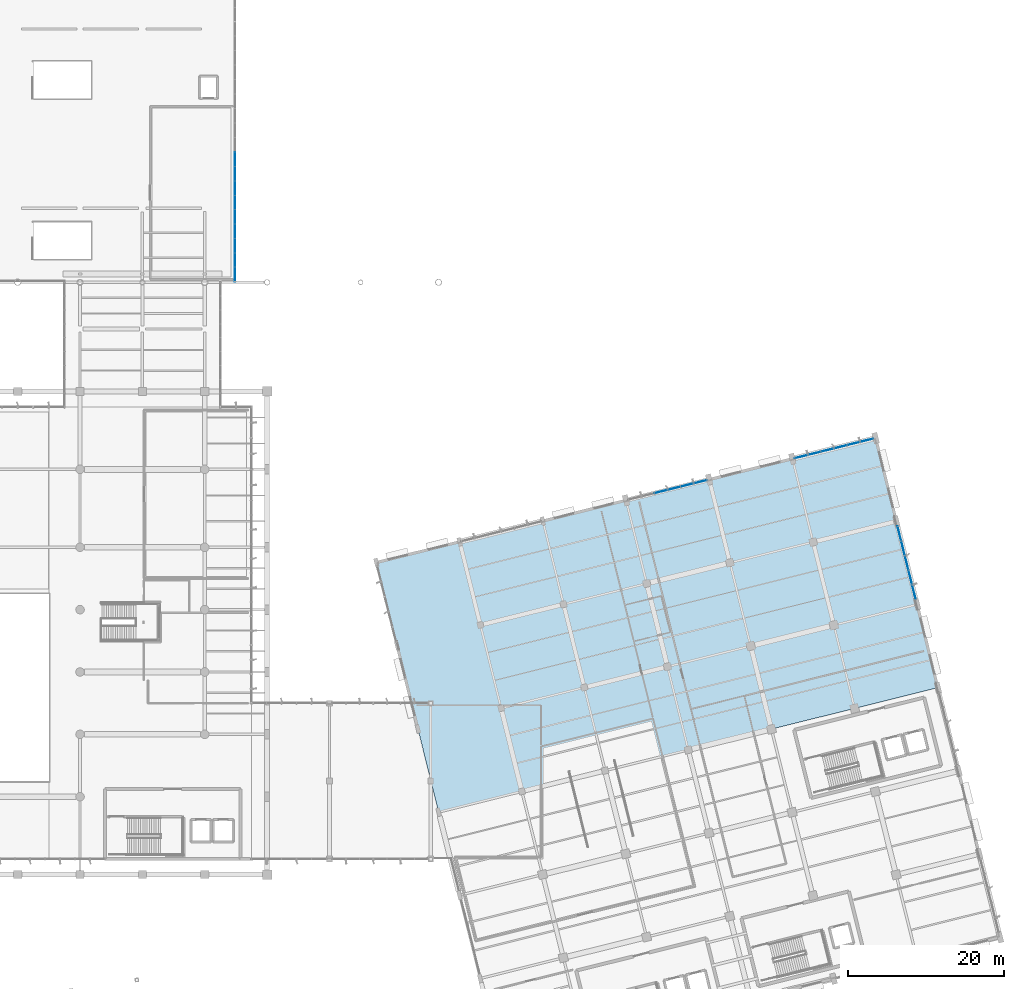
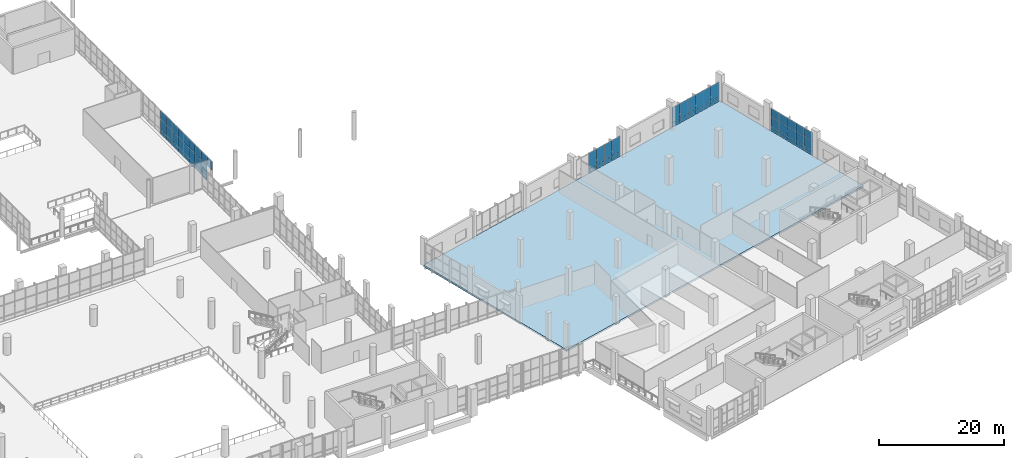
# One storey, part 131 of 176: 60 plates, 1 slab, 5 elements without a shape of their own.
"""IFC4 building model written with IfcOpenShell, lengths in metres."""

from ifc_helpers import new_model, si_unit, direction, frame, origin, origin_2d, place, context, subcontext, project, spatial, polyline, rectangle, outline, extrude, material, layer, layer_set, type_object, element, aggregate, save


model = new_model("IFC4")

# Units and contexts
model_context = context("Model", 3, precision=1e-05, world=origin(), true_north=direction((0.0, 1.0)))
body_context = subcontext(model_context, "Body", "Model", "MODEL_VIEW")
ifc_project = project(units=[si_unit("LENGTHUNIT", "METRE"), si_unit("AREAUNIT", "SQUARE_METRE"), si_unit("VOLUMEUNIT", "CUBIC_METRE"), si_unit("PLANEANGLEUNIT", "RADIAN"), si_unit("MASSUNIT", "GRAM", prefix="KILO")], contexts=[model_context])

# Site, building, storey
site_placement = place(None, origin())
site = spatial("IfcSite", under=ifc_project, at=site_placement, CompositionType="ELEMENT")
building_placement = place(site_placement, origin())
building = spatial("IfcBuilding", under=site, at=building_placement, Name="Khorjan Park Terminus", CompositionType="ELEMENT")
storey_placement = place(building_placement, frame((0.0, 0.0, 6.0)))
storey = spatial("IfcBuildingStorey", under=building, at=storey_placement, Name="L01", CompositionType="ELEMENT", Elevation=6.0)

# Curtain wall, plates
ifc_material_1 = material(Name="Anodized Bronze Aluminium", Category="aluminium")
ifc_layer_1 = layer(ifc_material_1, 0.22)
ifc_layer_set_1 = layer_set([ifc_layer_1], Name="Anodized Bronze Aluminium")
curtain_wall_type_1 = type_object("IfcCurtainWallType", Name="CW-OPS-B", PredefinedType="NOTDEFINED", material=ifc_layer_set_1)
curtain_wall_1_placement = place(storey_placement, origin())
curtain_wall_1 = element("IfcCurtainWall", 1, at=curtain_wall_1_placement, inside=storey, type_object=curtain_wall_type_1, Name="Unitized curtain wall CW-B (CW-V5-N-L01-B03)", PredefinedType="NOTDEFINED")
ifc_material_2 = material(Name="Low-E Solar Control Double Glazing", Category="glass")
ifc_layer_2 = layer(ifc_material_2, 0.032)
ifc_layer_set_2 = layer_set([ifc_layer_2], Name="Low-E Solar Control Double Glazing")
plate_type_1 = type_object("IfcPlateType", Name="GL-VIS-32", PredefinedType="CURTAIN_PANEL", material=ifc_layer_set_2)
plate_1_placement = place(storey_placement, frame((191.5697, 76.3957, 0.85), z_axis=(0.0, 0.0, 1.0), x_axis=(-0.970295910648, -0.241921156122, 0.0)))
plate_1 = element("IfcPlate", 2, at=plate_1_placement, type_object=plate_type_1, Name="Curtain-wall panel VP-32 (CW-V5-N-L01-B03-0-2)", PredefinedType="CURTAIN_PANEL", context=body_context, shape_type="SweptSolid", body=[
    extrude(rectangle(XDim=1.7233, YDim=0.032, at=origin_2d()), origin(), (0.0, 0.0, 1.0), 3.095),
])
plate_2_placement = place(storey_placement, frame((189.8976, 75.9788, 0.85), z_axis=(0.0, 0.0, 1.0), x_axis=(-0.970295910648, -0.241921156122, 0.0)))
plate_2 = element("IfcPlate", 3, at=plate_2_placement, type_object=plate_type_1, Name="Curtain-wall panel VP-32 (CW-V5-N-L01-B03-1-2)", PredefinedType="CURTAIN_PANEL", context=body_context, shape_type="SweptSolid", body=[
    extrude(rectangle(XDim=1.7233, YDim=0.032, at=origin_2d()), origin(), (0.0, 0.0, 1.0), 3.095),
])
plate_3_placement = place(storey_placement, frame((188.2255, 75.5619, 0.85), z_axis=(0.0, 0.0, 1.0), x_axis=(-0.970295910648, -0.241921156122, 0.0)))
plate_3 = element("IfcPlate", 4, at=plate_3_placement, type_object=plate_type_1, Name="Curtain-wall panel VP-32 (CW-V5-N-L01-B03-2-2)", PredefinedType="CURTAIN_PANEL", context=body_context, shape_type="SweptSolid", body=[
    extrude(rectangle(XDim=1.7233, YDim=0.032, at=origin_2d()), origin(), (0.0, 0.0, 1.0), 3.095),
])
plate_4_placement = place(storey_placement, frame((186.5534, 75.145, 0.85), z_axis=(0.0, 0.0, 1.0), x_axis=(-0.970295910648, -0.241921156122, 0.0)))
plate_4 = element("IfcPlate", 5, at=plate_4_placement, type_object=plate_type_1, Name="Curtain-wall panel VP-32 (CW-V5-N-L01-B03-3-2)", PredefinedType="CURTAIN_PANEL", context=body_context, shape_type="SweptSolid", body=[
    extrude(rectangle(XDim=1.7233, YDim=0.032, at=origin_2d()), origin(), (0.0, 0.0, 1.0), 3.095),
])

ifc_layer_3 = layer(ifc_material_1, 0.22)
ifc_layer_set_3 = layer_set([ifc_layer_3], Name="Anodized Bronze Aluminium")
curtain_wall_type_2 = type_object("IfcCurtainWallType", Name="CW-BRG-D", PredefinedType="NOTDEFINED", material=ifc_layer_set_3)
curtain_wall_2_placement = place(storey_placement, origin())
curtain_wall_2 = element("IfcCurtainWall", 6, at=curtain_wall_2_placement, inside=storey, type_object=curtain_wall_type_2, Name="Unitized curtain wall CW-D (CW-BRE-E-1)", PredefinedType="NOTDEFINED")
plate_5_placement = place(storey_placement, frame((131.9, 103.0214, 2.852), z_axis=(0.0, 0.0, 1.0), x_axis=(0.0, 1.0, 0.0)))
plate_5 = element("IfcPlate", 7, at=plate_5_placement, type_object=plate_type_1, Name="Curtain-wall panel VP-32 (CW-BRE-E-1-0-3)", PredefinedType="CURTAIN_PANEL", context=body_context, shape_type="SweptSolid", body=[
    extrude(rectangle(XDim=1.8429, YDim=0.032, at=origin_2d()), origin(), (0.0, 0.0, 1.0), 1.758),
])
plate_6_placement = place(storey_placement, frame((131.9, 104.8643, 0.85), z_axis=(0.0, 0.0, 1.0), x_axis=(0.0, 1.0, 0.0)))
plate_6 = element("IfcPlate", 8, at=plate_6_placement, type_object=plate_type_1, Name="Curtain-wall panel VP-32 (CW-BRE-E-1-1-2)", PredefinedType="CURTAIN_PANEL", context=body_context, shape_type="SweptSolid", body=[
    extrude(rectangle(XDim=1.8429, YDim=0.032, at=origin_2d()), origin(), (0.0, 0.0, 1.0), 2.002),
])
plate_7_placement = place(storey_placement, frame((131.9, 104.8643, 2.852), z_axis=(0.0, 0.0, 1.0), x_axis=(0.0, 1.0, 0.0)))
plate_7 = element("IfcPlate", 9, at=plate_7_placement, type_object=plate_type_1, Name="Curtain-wall panel VP-32 (CW-BRE-E-1-1-3)", PredefinedType="CURTAIN_PANEL", context=body_context, shape_type="SweptSolid", body=[
    extrude(rectangle(XDim=1.8429, YDim=0.032, at=origin_2d()), origin(), (0.0, 0.0, 1.0), 1.758),
])
plate_8_placement = place(storey_placement, frame((131.9, 106.7072, 0.85), z_axis=(0.0, 0.0, 1.0), x_axis=(0.0, 1.0, 0.0)))
plate_8 = element("IfcPlate", 10, at=plate_8_placement, type_object=plate_type_1, Name="Curtain-wall panel VP-32 (CW-BRE-E-1-2-2)", PredefinedType="CURTAIN_PANEL", context=body_context, shape_type="SweptSolid", body=[
    extrude(rectangle(XDim=1.8429, YDim=0.032, at=origin_2d()), origin(), (0.0, 0.0, 1.0), 2.002),
])
plate_9_placement = place(storey_placement, frame((131.9, 106.7072, 2.852), z_axis=(0.0, 0.0, 1.0), x_axis=(0.0, 1.0, 0.0)))
plate_9 = element("IfcPlate", 11, at=plate_9_placement, type_object=plate_type_1, Name="Curtain-wall panel VP-32 (CW-BRE-E-1-2-3)", PredefinedType="CURTAIN_PANEL", context=body_context, shape_type="SweptSolid", body=[
    extrude(rectangle(XDim=1.8429, YDim=0.032, at=origin_2d()), origin(), (0.0, 0.0, 1.0), 1.758),
])
plate_10_placement = place(storey_placement, frame((131.9, 108.55, 0.85), z_axis=(0.0, 0.0, 1.0), x_axis=(0.0, 1.0, 0.0)))
plate_10 = element("IfcPlate", 12, at=plate_10_placement, type_object=plate_type_1, Name="Curtain-wall panel VP-32 (CW-BRE-E-1-3-2)", PredefinedType="CURTAIN_PANEL", context=body_context, shape_type="SweptSolid", body=[
    extrude(rectangle(XDim=1.8429, YDim=0.032, at=origin_2d()), origin(), (0.0, 0.0, 1.0), 2.002),
])
plate_11_placement = place(storey_placement, frame((131.9, 108.55, 2.852), z_axis=(0.0, 0.0, 1.0), x_axis=(0.0, 1.0, 0.0)))
plate_11 = element("IfcPlate", 13, at=plate_11_placement, type_object=plate_type_1, Name="Curtain-wall panel VP-32 (CW-BRE-E-1-3-3)", PredefinedType="CURTAIN_PANEL", context=body_context, shape_type="SweptSolid", body=[
    extrude(rectangle(XDim=1.8429, YDim=0.032, at=origin_2d()), origin(), (0.0, 0.0, 1.0), 1.758),
])
plate_12_placement = place(storey_placement, frame((131.9, 110.3929, 0.85), z_axis=(0.0, 0.0, 1.0), x_axis=(0.0, 1.0, 0.0)))
plate_12 = element("IfcPlate", 14, at=plate_12_placement, type_object=plate_type_1, Name="Curtain-wall panel VP-32 (CW-BRE-E-1-4-2)", PredefinedType="CURTAIN_PANEL", context=body_context, shape_type="SweptSolid", body=[
    extrude(rectangle(XDim=1.8429, YDim=0.032, at=origin_2d()), origin(), (0.0, 0.0, 1.0), 2.002),
])
plate_13_placement = place(storey_placement, frame((131.9, 110.3929, 2.852), z_axis=(0.0, 0.0, 1.0), x_axis=(0.0, 1.0, 0.0)))
plate_13 = element("IfcPlate", 15, at=plate_13_placement, type_object=plate_type_1, Name="Curtain-wall panel VP-32 (CW-BRE-E-1-4-3)", PredefinedType="CURTAIN_PANEL", context=body_context, shape_type="SweptSolid", body=[
    extrude(rectangle(XDim=1.8429, YDim=0.032, at=origin_2d()), origin(), (0.0, 0.0, 1.0), 1.758),
])
plate_14_placement = place(storey_placement, frame((131.9, 112.2357, 0.85), z_axis=(0.0, 0.0, 1.0), x_axis=(0.0, 1.0, 0.0)))
plate_14 = element("IfcPlate", 16, at=plate_14_placement, type_object=plate_type_1, Name="Curtain-wall panel VP-32 (CW-BRE-E-1-5-2)", PredefinedType="CURTAIN_PANEL", context=body_context, shape_type="SweptSolid", body=[
    extrude(rectangle(XDim=1.8429, YDim=0.032, at=origin_2d()), origin(), (0.0, 0.0, 1.0), 2.002),
])
plate_15_placement = place(storey_placement, frame((131.9, 112.2357, 2.852), z_axis=(0.0, 0.0, 1.0), x_axis=(0.0, 1.0, 0.0)))
plate_15 = element("IfcPlate", 17, at=plate_15_placement, type_object=plate_type_1, Name="Curtain-wall panel VP-32 (CW-BRE-E-1-5-3)", PredefinedType="CURTAIN_PANEL", context=body_context, shape_type="SweptSolid", body=[
    extrude(rectangle(XDim=1.8429, YDim=0.032, at=origin_2d()), origin(), (0.0, 0.0, 1.0), 1.758),
])
plate_16_placement = place(storey_placement, frame((131.9, 114.0786, 0.85), z_axis=(0.0, 0.0, 1.0), x_axis=(0.0, 1.0, 0.0)))
plate_16 = element("IfcPlate", 18, at=plate_16_placement, type_object=plate_type_1, Name="Curtain-wall panel VP-32 (CW-BRE-E-1-6-2)", PredefinedType="CURTAIN_PANEL", context=body_context, shape_type="SweptSolid", body=[
    extrude(rectangle(XDim=1.8429, YDim=0.032, at=origin_2d()), origin(), (0.0, 0.0, 1.0), 2.002),
])
plate_17_placement = place(storey_placement, frame((131.9, 114.0786, 2.852), z_axis=(0.0, 0.0, 1.0), x_axis=(0.0, 1.0, 0.0)))
plate_17 = element("IfcPlate", 19, at=plate_17_placement, type_object=plate_type_1, Name="Curtain-wall panel VP-32 (CW-BRE-E-1-6-3)", PredefinedType="CURTAIN_PANEL", context=body_context, shape_type="SweptSolid", body=[
    extrude(rectangle(XDim=1.8429, YDim=0.032, at=origin_2d()), origin(), (0.0, 0.0, 1.0), 1.758),
])

curtain_wall_3_placement = place(storey_placement, origin())
curtain_wall_3 = element("IfcCurtainWall", 20, at=curtain_wall_3_placement, inside=storey, type_object=curtain_wall_type_2, Name="Unitized curtain wall CW-D (CW-BRE-E-2)", PredefinedType="NOTDEFINED")
plate_18_placement = place(storey_placement, frame((131.9, 115.9286, 0.85), z_axis=(0.0, 0.0, 1.0), x_axis=(0.0, 1.0, 0.0)))
plate_18 = element("IfcPlate", 21, at=plate_18_placement, type_object=plate_type_1, Name="Curtain-wall panel VP-32 (CW-BRE-E-2-0-2)", PredefinedType="CURTAIN_PANEL", context=body_context, shape_type="SweptSolid", body=[
    extrude(rectangle(XDim=1.8571, YDim=0.032, at=origin_2d()), origin(), (0.0, 0.0, 1.0), 2.002),
])
plate_19_placement = place(storey_placement, frame((131.9, 115.9286, 2.852), z_axis=(0.0, 0.0, 1.0), x_axis=(0.0, 1.0, 0.0)))
plate_19 = element("IfcPlate", 22, at=plate_19_placement, type_object=plate_type_1, Name="Curtain-wall panel VP-32 (CW-BRE-E-2-0-3)", PredefinedType="CURTAIN_PANEL", context=body_context, shape_type="SweptSolid", body=[
    extrude(rectangle(XDim=1.8571, YDim=0.032, at=origin_2d()), origin(), (0.0, 0.0, 1.0), 1.758),
])
plate_20_placement = place(storey_placement, frame((131.9, 117.7857, 0.85), z_axis=(0.0, 0.0, 1.0), x_axis=(0.0, 1.0, 0.0)))
plate_20 = element("IfcPlate", 23, at=plate_20_placement, type_object=plate_type_1, Name="Curtain-wall panel VP-32 (CW-BRE-E-2-1-2)", PredefinedType="CURTAIN_PANEL", context=body_context, shape_type="SweptSolid", body=[
    extrude(rectangle(XDim=1.8571, YDim=0.032, at=origin_2d()), origin(), (0.0, 0.0, 1.0), 2.002),
])
plate_21_placement = place(storey_placement, frame((131.9, 117.7857, 2.852), z_axis=(0.0, 0.0, 1.0), x_axis=(0.0, 1.0, 0.0)))
plate_21 = element("IfcPlate", 24, at=plate_21_placement, type_object=plate_type_1, Name="Curtain-wall panel VP-32 (CW-BRE-E-2-1-3)", PredefinedType="CURTAIN_PANEL", context=body_context, shape_type="SweptSolid", body=[
    extrude(rectangle(XDim=1.8571, YDim=0.032, at=origin_2d()), origin(), (0.0, 0.0, 1.0), 1.758),
])

curtain_wall_4_placement = place(storey_placement, origin())
curtain_wall_4 = element("IfcCurtainWall", 25, at=curtain_wall_4_placement, inside=storey, type_object=curtain_wall_type_1, Name="Unitized curtain wall CW-B (CW-V5-E-L01-B05)", PredefinedType="NOTDEFINED")
ifc_material_3 = material(Name="Acoustic Laminated Solar Glazing", Category="glass")
ifc_layer_4 = layer(ifc_material_3, 0.036)
ifc_layer_set_4 = layer_set([ifc_layer_4], Name="Acoustic Laminated Solar Glazing")
plate_type_2 = type_object("IfcPlateType", Name="GL-VIS-36", PredefinedType="CURTAIN_PANEL", material=ifc_layer_set_4)
plate_22_placement = place(storey_placement, frame((218.9973, 62.2552, 0.85), z_axis=(0.0, 0.0, 1.0), x_axis=(-0.241935125171, 0.970292427678, 0.0)))
plate_22 = element("IfcPlate", 26, at=plate_22_placement, type_object=plate_type_2, Name="Curtain-wall panel VP-36 (CW-V5-E-L01-B05-0-2)", PredefinedType="CURTAIN_PANEL", context=body_context, shape_type="SweptSolid", body=[
    extrude(rectangle(XDim=1.928, YDim=0.036, at=origin_2d()), origin(), (0.0, 0.0, 1.0), 1.9059),
])
plate_23_placement = place(storey_placement, frame((218.9973, 62.2552, 2.7559), z_axis=(0.0, 0.0, 1.0), x_axis=(-0.241935125171, 0.970292427678, 0.0)))
plate_23 = element("IfcPlate", 27, at=plate_23_placement, type_object=plate_type_2, Name="Curtain-wall panel VP-36 (CW-V5-E-L01-B05-0-3)", PredefinedType="CURTAIN_PANEL", context=body_context, shape_type="SweptSolid", body=[
    extrude(rectangle(XDim=1.928, YDim=0.036, at=origin_2d()), origin(), (0.0, 0.0, 1.0), 1.6991),
])
plate_24_placement = place(storey_placement, frame((218.5308, 64.1258, 0.85), z_axis=(0.0, 0.0, 1.0), x_axis=(-0.241935125171, 0.970292427678, 0.0)))
plate_24 = element("IfcPlate", 28, at=plate_24_placement, type_object=plate_type_2, Name="Curtain-wall panel VP-36 (CW-V5-E-L01-B05-1-2)", PredefinedType="CURTAIN_PANEL", context=body_context, shape_type="SweptSolid", body=[
    extrude(rectangle(XDim=1.928, YDim=0.036, at=origin_2d()), origin(), (0.0, 0.0, 1.0), 1.9059),
])
plate_25_placement = place(storey_placement, frame((218.5308, 64.1258, 2.7559), z_axis=(0.0, 0.0, 1.0), x_axis=(-0.241935125171, 0.970292427678, 0.0)))
plate_25 = element("IfcPlate", 29, at=plate_25_placement, type_object=plate_type_2, Name="Curtain-wall panel VP-36 (CW-V5-E-L01-B05-1-3)", PredefinedType="CURTAIN_PANEL", context=body_context, shape_type="SweptSolid", body=[
    extrude(rectangle(XDim=1.928, YDim=0.036, at=origin_2d()), origin(), (0.0, 0.0, 1.0), 1.6991),
])
plate_26_placement = place(storey_placement, frame((218.0644, 65.9965, 0.85), z_axis=(0.0, 0.0, 1.0), x_axis=(-0.241935125171, 0.970292427678, 0.0)))
plate_26 = element("IfcPlate", 30, at=plate_26_placement, type_object=plate_type_2, Name="Curtain-wall panel VP-36 (CW-V5-E-L01-B05-2-2)", PredefinedType="CURTAIN_PANEL", context=body_context, shape_type="SweptSolid", body=[
    extrude(rectangle(XDim=1.928, YDim=0.036, at=origin_2d()), origin(), (0.0, 0.0, 1.0), 1.9059),
])
plate_27_placement = place(storey_placement, frame((218.0644, 65.9965, 2.7559), z_axis=(0.0, 0.0, 1.0), x_axis=(-0.241935125171, 0.970292427678, 0.0)))
plate_27 = element("IfcPlate", 31, at=plate_27_placement, type_object=plate_type_2, Name="Curtain-wall panel VP-36 (CW-V5-E-L01-B05-2-3)", PredefinedType="CURTAIN_PANEL", context=body_context, shape_type="SweptSolid", body=[
    extrude(rectangle(XDim=1.928, YDim=0.036, at=origin_2d()), origin(), (0.0, 0.0, 1.0), 1.6991),
])
plate_28_placement = place(storey_placement, frame((217.5979, 67.8671, 0.85), z_axis=(0.0, 0.0, 1.0), x_axis=(-0.241935125171, 0.970292427678, 0.0)))
plate_28 = element("IfcPlate", 32, at=plate_28_placement, type_object=plate_type_2, Name="Curtain-wall panel VP-36 (CW-V5-E-L01-B05-3-2)", PredefinedType="CURTAIN_PANEL", context=body_context, shape_type="SweptSolid", body=[
    extrude(rectangle(XDim=1.928, YDim=0.036, at=origin_2d()), origin(), (0.0, 0.0, 1.0), 1.9059),
])
plate_29_placement = place(storey_placement, frame((217.5979, 67.8671, 2.7559), z_axis=(0.0, 0.0, 1.0), x_axis=(-0.241935125171, 0.970292427678, 0.0)))
plate_29 = element("IfcPlate", 33, at=plate_29_placement, type_object=plate_type_2, Name="Curtain-wall panel VP-36 (CW-V5-E-L01-B05-3-3)", PredefinedType="CURTAIN_PANEL", context=body_context, shape_type="SweptSolid", body=[
    extrude(rectangle(XDim=1.928, YDim=0.036, at=origin_2d()), origin(), (0.0, 0.0, 1.0), 1.6991),
])
plate_30_placement = place(storey_placement, frame((217.1315, 69.7378, 0.85), z_axis=(0.0, 0.0, 1.0), x_axis=(-0.241935125171, 0.970292427678, 0.0)))
plate_30 = element("IfcPlate", 34, at=plate_30_placement, type_object=plate_type_2, Name="Curtain-wall panel VP-36 (CW-V5-E-L01-B05-4-2)", PredefinedType="CURTAIN_PANEL", context=body_context, shape_type="SweptSolid", body=[
    extrude(rectangle(XDim=1.928, YDim=0.036, at=origin_2d()), origin(), (0.0, 0.0, 1.0), 1.9059),
])
plate_31_placement = place(storey_placement, frame((217.1315, 69.7378, 2.7559), z_axis=(0.0, 0.0, 1.0), x_axis=(-0.241935125171, 0.970292427678, 0.0)))
plate_31 = element("IfcPlate", 35, at=plate_31_placement, type_object=plate_type_2, Name="Curtain-wall panel VP-36 (CW-V5-E-L01-B05-4-3)", PredefinedType="CURTAIN_PANEL", context=body_context, shape_type="SweptSolid", body=[
    extrude(rectangle(XDim=1.928, YDim=0.036, at=origin_2d()), origin(), (0.0, 0.0, 1.0), 1.6991),
])

curtain_wall_5_placement = place(storey_placement, origin())
curtain_wall_5 = element("IfcCurtainWall", 36, at=curtain_wall_5_placement, inside=storey, type_object=curtain_wall_type_1, Name="Unitized curtain wall CW-B (CW-V5-N-L01-B01)", PredefinedType="NOTDEFINED")
plate_32_placement = place(storey_placement, frame((212.9166, 81.7181, 0.833), z_axis=(0.0, 0.0, 1.0), x_axis=(-0.970294194364, -0.241928039679, 0.0)))
plate_32 = element("IfcPlate", 37, at=plate_32_placement, type_object=plate_type_2, Name="Curtain-wall panel VP-36 (CW-V5-N-L01-B01-0-2)", PredefinedType="CURTAIN_PANEL", context=body_context, shape_type="SweptSolid", body=[
    extrude(rectangle(XDim=1.7234, YDim=0.036, at=origin_2d()), origin(), (0.0, 0.0, 1.0), 2.962),
])
plate_33_placement = place(storey_placement, frame((211.2443, 81.3012, 0.833), z_axis=(0.0, 0.0, 1.0), x_axis=(-0.970294194364, -0.241928039679, 0.0)))
plate_33 = element("IfcPlate", 38, at=plate_33_placement, type_object=plate_type_2, Name="Curtain-wall panel VP-36 (CW-V5-N-L01-B01-1-2)", PredefinedType="CURTAIN_PANEL", context=body_context, shape_type="SweptSolid", body=[
    extrude(rectangle(XDim=1.7234, YDim=0.036, at=origin_2d()), origin(), (0.0, 0.0, 1.0), 2.962),
])
plate_34_placement = place(storey_placement, frame((209.5721, 80.8842, 0.833), z_axis=(0.0, 0.0, 1.0), x_axis=(-0.970294194364, -0.241928039679, 0.0)))
plate_34 = element("IfcPlate", 39, at=plate_34_placement, type_object=plate_type_2, Name="Curtain-wall panel VP-36 (CW-V5-N-L01-B01-2-2)", PredefinedType="CURTAIN_PANEL", context=body_context, shape_type="SweptSolid", body=[
    extrude(rectangle(XDim=1.7234, YDim=0.036, at=origin_2d()), origin(), (0.0, 0.0, 1.0), 2.962),
])
plate_35_placement = place(storey_placement, frame((207.8999, 80.4673, 0.833), z_axis=(0.0, 0.0, 1.0), x_axis=(-0.970294194364, -0.241928039679, 0.0)))
plate_35 = element("IfcPlate", 40, at=plate_35_placement, type_object=plate_type_2, Name="Curtain-wall panel VP-36 (CW-V5-N-L01-B01-3-2)", PredefinedType="CURTAIN_PANEL", context=body_context, shape_type="SweptSolid", body=[
    extrude(rectangle(XDim=1.7234, YDim=0.036, at=origin_2d()), origin(), (0.0, 0.0, 1.0), 2.962),
])
plate_36_placement = place(storey_placement, frame((206.2276, 80.0503, 0.833), z_axis=(0.0, 0.0, 1.0), x_axis=(-0.970294194364, -0.241928039679, 0.0)))
plate_36 = element("IfcPlate", 41, at=plate_36_placement, type_object=plate_type_2, Name="Curtain-wall panel VP-36 (CW-V5-N-L01-B01-4-2)", PredefinedType="CURTAIN_PANEL", context=body_context, shape_type="SweptSolid", body=[
    extrude(rectangle(XDim=1.7234, YDim=0.036, at=origin_2d()), origin(), (0.0, 0.0, 1.0), 2.962),
])
plate_37_placement = place(storey_placement, frame((204.5553, 79.6334, 0.833), z_axis=(0.0, 0.0, 1.0), x_axis=(-0.970294194364, -0.241928039679, 0.0)))
plate_37 = element("IfcPlate", 42, at=plate_37_placement, type_object=plate_type_2, Name="Curtain-wall panel VP-36 (CW-V5-N-L01-B01-5-2)", PredefinedType="CURTAIN_PANEL", context=body_context, shape_type="SweptSolid", body=[
    extrude(rectangle(XDim=1.7234, YDim=0.036, at=origin_2d()), origin(), (0.0, 0.0, 1.0), 2.962),
])

# Slab
ifc_material_4 = material(Name="Concrete C40/50", Category="concrete")
ifc_layer_5 = layer(ifc_material_4, 0.35)
ifc_layer_set_5 = layer_set([ifc_layer_5], Name="Concrete C40/50")
slab_type = type_object("IfcSlabType", Name="SL-FLR-350", PredefinedType="FLOOR", material=ifc_layer_set_5)
slab_placement = place(storey_placement, frame((0.0, 0.0, -0.35)))
element("IfcSlab", 43, at=slab_placement, inside=storey, type_object=slab_type, Name="Structural floor slab FS-35 (L01-V5-N)", PredefinedType="FLOOR", context=body_context, shape_type="SweptSolid", body=[
    extrude(outline(polyline([(150.0332, 66.0395), (214.0727, 82.0064), (222.0561, 49.9866), (158.0166, 34.0198), (150.0332, 66.0395)])), origin(), (0.0, 0.0, 1.0), 0.35),
])

# Plate
ifc_material_5 = material(Name="Insulated Anodized Bronze Spandrel Panel")
ifc_layer_6 = layer(ifc_material_5, 0.045)
ifc_layer_set_6 = layer_set([ifc_layer_6], Name="Insulated Anodized Bronze Spandrel Panel")
plate_type_3 = type_object("IfcPlateType", Name="SP-AL-45", PredefinedType="CURTAIN_PANEL", material=ifc_layer_set_6)
plate_38_placement = place(storey_placement, frame((131.9, 104.8643, -0.01), z_axis=(0.0, 0.0, 1.0), x_axis=(0.0, 1.0, 0.0)))
plate_38 = element("IfcPlate", 44, at=plate_38_placement, type_object=plate_type_3, Name="Curtain-wall panel SP-A45 (CW-BRE-E-1-1-1)", PredefinedType="CURTAIN_PANEL", context=body_context, shape_type="SweptSolid", body=[
    extrude(rectangle(XDim=1.8429, YDim=0.045, at=origin_2d()), origin(), (0.0, 0.0, 1.0), 0.86),
])

plate_39_placement = place(storey_placement, frame((131.9, 106.7072, -0.01), z_axis=(0.0, 0.0, 1.0), x_axis=(0.0, 1.0, 0.0)))
plate_39 = element("IfcPlate", 45, at=plate_39_placement, type_object=plate_type_3, Name="Curtain-wall panel SP-A45 (CW-BRE-E-1-2-1)", PredefinedType="CURTAIN_PANEL", context=body_context, shape_type="SweptSolid", body=[
    extrude(rectangle(XDim=1.8429, YDim=0.045, at=origin_2d()), origin(), (0.0, 0.0, 1.0), 0.86),
])

plate_40_placement = place(storey_placement, frame((131.9, 108.55, -0.01), z_axis=(0.0, 0.0, 1.0), x_axis=(0.0, 1.0, 0.0)))
plate_40 = element("IfcPlate", 46, at=plate_40_placement, type_object=plate_type_3, Name="Curtain-wall panel SP-A45 (CW-BRE-E-1-3-1)", PredefinedType="CURTAIN_PANEL", context=body_context, shape_type="SweptSolid", body=[
    extrude(rectangle(XDim=1.8429, YDim=0.045, at=origin_2d()), origin(), (0.0, 0.0, 1.0), 0.86),
])

plate_41_placement = place(storey_placement, frame((131.9, 110.3929, -0.01), z_axis=(0.0, 0.0, 1.0), x_axis=(0.0, 1.0, 0.0)))
plate_41 = element("IfcPlate", 47, at=plate_41_placement, type_object=plate_type_3, Name="Curtain-wall panel SP-A45 (CW-BRE-E-1-4-1)", PredefinedType="CURTAIN_PANEL", context=body_context, shape_type="SweptSolid", body=[
    extrude(rectangle(XDim=1.8429, YDim=0.045, at=origin_2d()), origin(), (0.0, 0.0, 1.0), 0.86),
])

plate_42_placement = place(storey_placement, frame((131.9, 112.2357, -0.01), z_axis=(0.0, 0.0, 1.0), x_axis=(0.0, 1.0, 0.0)))
plate_42 = element("IfcPlate", 48, at=plate_42_placement, type_object=plate_type_3, Name="Curtain-wall panel SP-A45 (CW-BRE-E-1-5-1)", PredefinedType="CURTAIN_PANEL", context=body_context, shape_type="SweptSolid", body=[
    extrude(rectangle(XDim=1.8429, YDim=0.045, at=origin_2d()), origin(), (0.0, 0.0, 1.0), 0.86),
])

plate_43_placement = place(storey_placement, frame((131.9, 114.0786, -0.01), z_axis=(0.0, 0.0, 1.0), x_axis=(0.0, 1.0, 0.0)))
plate_43 = element("IfcPlate", 49, at=plate_43_placement, type_object=plate_type_3, Name="Curtain-wall panel SP-A45 (CW-BRE-E-1-6-1)", PredefinedType="CURTAIN_PANEL", context=body_context, shape_type="SweptSolid", body=[
    extrude(rectangle(XDim=1.8429, YDim=0.045, at=origin_2d()), origin(), (0.0, 0.0, 1.0), 0.86),
])

aggregate(curtain_wall_2, [plate_5, plate_38, plate_6, plate_7, plate_39, plate_8, plate_9, plate_40, plate_10, plate_11, plate_41, plate_12, plate_13, plate_42, plate_14, plate_15, plate_43, plate_16, plate_17])

plate_44_placement = place(storey_placement, frame((131.9, 115.9286, -0.01), z_axis=(0.0, 0.0, 1.0), x_axis=(0.0, 1.0, 0.0)))
plate_44 = element("IfcPlate", 50, at=plate_44_placement, type_object=plate_type_3, Name="Curtain-wall panel SP-A45 (CW-BRE-E-2-0-1)", PredefinedType="CURTAIN_PANEL", context=body_context, shape_type="SweptSolid", body=[
    extrude(rectangle(XDim=1.8571, YDim=0.045, at=origin_2d()), origin(), (0.0, 0.0, 1.0), 0.86),
])

plate_45_placement = place(storey_placement, frame((131.9, 117.7857, -0.01), z_axis=(0.0, 0.0, 1.0), x_axis=(0.0, 1.0, 0.0)))
plate_45 = element("IfcPlate", 51, at=plate_45_placement, type_object=plate_type_3, Name="Curtain-wall panel SP-A45 (CW-BRE-E-2-1-1)", PredefinedType="CURTAIN_PANEL", context=body_context, shape_type="SweptSolid", body=[
    extrude(rectangle(XDim=1.8571, YDim=0.045, at=origin_2d()), origin(), (0.0, 0.0, 1.0), 0.86),
])

aggregate(curtain_wall_3, [plate_44, plate_18, plate_19, plate_45, plate_20, plate_21])

ifc_material_6 = material(Name="Insulated Bronze-Composite Spandrel Panel")
ifc_layer_7 = layer(ifc_material_6, 0.055)
ifc_layer_set_7 = layer_set([ifc_layer_7], Name="Insulated Bronze-Composite Spandrel Panel")
plate_type_4 = type_object("IfcPlateType", Name="SP-AL-55", PredefinedType="CURTAIN_PANEL", material=ifc_layer_set_7)
plate_46_placement = place(storey_placement, frame((218.9973, 62.2552, -0.01), z_axis=(0.0, 0.0, 1.0), x_axis=(-0.241935125171, 0.970292427678, 0.0)))
plate_46 = element("IfcPlate", 52, at=plate_46_placement, type_object=plate_type_4, Name="Curtain-wall panel SP-A55 (CW-V5-E-L01-B05-0-1)", PredefinedType="CURTAIN_PANEL", context=body_context, shape_type="SweptSolid", body=[
    extrude(rectangle(XDim=1.928, YDim=0.055, at=origin_2d()), origin(), (0.0, 0.0, 1.0), 0.86),
])

plate_47_placement = place(storey_placement, frame((218.5308, 64.1258, -0.01), z_axis=(0.0, 0.0, 1.0), x_axis=(-0.241935125171, 0.970292427678, 0.0)))
plate_47 = element("IfcPlate", 53, at=plate_47_placement, type_object=plate_type_4, Name="Curtain-wall panel SP-A55 (CW-V5-E-L01-B05-1-1)", PredefinedType="CURTAIN_PANEL", context=body_context, shape_type="SweptSolid", body=[
    extrude(rectangle(XDim=1.928, YDim=0.055, at=origin_2d()), origin(), (0.0, 0.0, 1.0), 0.86),
])

plate_48_placement = place(storey_placement, frame((218.0644, 65.9965, -0.01), z_axis=(0.0, 0.0, 1.0), x_axis=(-0.241935125171, 0.970292427678, 0.0)))
plate_48 = element("IfcPlate", 54, at=plate_48_placement, type_object=plate_type_4, Name="Curtain-wall panel SP-A55 (CW-V5-E-L01-B05-2-1)", PredefinedType="CURTAIN_PANEL", context=body_context, shape_type="SweptSolid", body=[
    extrude(rectangle(XDim=1.928, YDim=0.055, at=origin_2d()), origin(), (0.0, 0.0, 1.0), 0.86),
])

plate_49_placement = place(storey_placement, frame((217.5979, 67.8671, -0.01), z_axis=(0.0, 0.0, 1.0), x_axis=(-0.241935125171, 0.970292427678, 0.0)))
plate_49 = element("IfcPlate", 55, at=plate_49_placement, type_object=plate_type_4, Name="Curtain-wall panel SP-A55 (CW-V5-E-L01-B05-3-1)", PredefinedType="CURTAIN_PANEL", context=body_context, shape_type="SweptSolid", body=[
    extrude(rectangle(XDim=1.928, YDim=0.055, at=origin_2d()), origin(), (0.0, 0.0, 1.0), 0.86),
])

plate_50_placement = place(storey_placement, frame((217.1315, 69.7378, -0.01), z_axis=(0.0, 0.0, 1.0), x_axis=(-0.241935125171, 0.970292427678, 0.0)))
plate_50 = element("IfcPlate", 56, at=plate_50_placement, type_object=plate_type_4, Name="Curtain-wall panel SP-A55 (CW-V5-E-L01-B05-4-1)", PredefinedType="CURTAIN_PANEL", context=body_context, shape_type="SweptSolid", body=[
    extrude(rectangle(XDim=1.928, YDim=0.055, at=origin_2d()), origin(), (0.0, 0.0, 1.0), 0.86),
])

aggregate(curtain_wall_4, [plate_46, plate_22, plate_23, plate_47, plate_24, plate_25, plate_48, plate_26, plate_27, plate_49, plate_28, plate_29, plate_50, plate_30, plate_31])

plate_51_placement = place(storey_placement, frame((212.9166, 81.7181, -0.01), z_axis=(0.0, 0.0, 1.0), x_axis=(-0.970294194364, -0.241928039679, 0.0)))
plate_51 = element("IfcPlate", 57, at=plate_51_placement, type_object=plate_type_4, Name="Curtain-wall panel SP-A55 (CW-V5-N-L01-B01-0-1)", PredefinedType="CURTAIN_PANEL", context=body_context, shape_type="SweptSolid", body=[
    extrude(rectangle(XDim=1.7234, YDim=0.055, at=origin_2d()), origin(), (0.0, 0.0, 1.0), 0.843),
])

plate_52_placement = place(storey_placement, frame((211.2443, 81.3012, -0.01), z_axis=(0.0, 0.0, 1.0), x_axis=(-0.970294194364, -0.241928039679, 0.0)))
plate_52 = element("IfcPlate", 58, at=plate_52_placement, type_object=plate_type_4, Name="Curtain-wall panel SP-A55 (CW-V5-N-L01-B01-1-1)", PredefinedType="CURTAIN_PANEL", context=body_context, shape_type="SweptSolid", body=[
    extrude(rectangle(XDim=1.7234, YDim=0.055, at=origin_2d()), origin(), (0.0, 0.0, 1.0), 0.843),
])

plate_53_placement = place(storey_placement, frame((209.5721, 80.8842, -0.01), z_axis=(0.0, 0.0, 1.0), x_axis=(-0.970294194364, -0.241928039679, 0.0)))
plate_53 = element("IfcPlate", 59, at=plate_53_placement, type_object=plate_type_4, Name="Curtain-wall panel SP-A55 (CW-V5-N-L01-B01-2-1)", PredefinedType="CURTAIN_PANEL", context=body_context, shape_type="SweptSolid", body=[
    extrude(rectangle(XDim=1.7234, YDim=0.055, at=origin_2d()), origin(), (0.0, 0.0, 1.0), 0.843),
])

plate_54_placement = place(storey_placement, frame((207.8999, 80.4673, -0.01), z_axis=(0.0, 0.0, 1.0), x_axis=(-0.970294194364, -0.241928039679, 0.0)))
plate_54 = element("IfcPlate", 60, at=plate_54_placement, type_object=plate_type_4, Name="Curtain-wall panel SP-A55 (CW-V5-N-L01-B01-3-1)", PredefinedType="CURTAIN_PANEL", context=body_context, shape_type="SweptSolid", body=[
    extrude(rectangle(XDim=1.7234, YDim=0.055, at=origin_2d()), origin(), (0.0, 0.0, 1.0), 0.843),
])

plate_55_placement = place(storey_placement, frame((206.2276, 80.0503, -0.01), z_axis=(0.0, 0.0, 1.0), x_axis=(-0.970294194364, -0.241928039679, 0.0)))
plate_55 = element("IfcPlate", 61, at=plate_55_placement, type_object=plate_type_4, Name="Curtain-wall panel SP-A55 (CW-V5-N-L01-B01-4-1)", PredefinedType="CURTAIN_PANEL", context=body_context, shape_type="SweptSolid", body=[
    extrude(rectangle(XDim=1.7234, YDim=0.055, at=origin_2d()), origin(), (0.0, 0.0, 1.0), 0.843),
])

plate_56_placement = place(storey_placement, frame((204.5553, 79.6334, -0.01), z_axis=(0.0, 0.0, 1.0), x_axis=(-0.970294194364, -0.241928039679, 0.0)))
plate_56 = element("IfcPlate", 62, at=plate_56_placement, type_object=plate_type_4, Name="Curtain-wall panel SP-A55 (CW-V5-N-L01-B01-5-1)", PredefinedType="CURTAIN_PANEL", context=body_context, shape_type="SweptSolid", body=[
    extrude(rectangle(XDim=1.7234, YDim=0.055, at=origin_2d()), origin(), (0.0, 0.0, 1.0), 0.843),
])

aggregate(curtain_wall_5, [plate_51, plate_32, plate_52, plate_33, plate_53, plate_34, plate_54, plate_35, plate_55, plate_36, plate_56, plate_37])

plate_57_placement = place(storey_placement, frame((191.5697, 76.3957, -0.01), z_axis=(0.0, 0.0, 1.0), x_axis=(-0.970295910648, -0.241921156122, 0.0)))
plate_57 = element("IfcPlate", 63, at=plate_57_placement, type_object=plate_type_4, Name="Curtain-wall panel SP-A55 (CW-V5-N-L01-B03-0-1)", PredefinedType="CURTAIN_PANEL", context=body_context, shape_type="SweptSolid", body=[
    extrude(rectangle(XDim=1.7233, YDim=0.055, at=origin_2d()), origin(), (0.0, 0.0, 1.0), 0.86),
])

plate_58_placement = place(storey_placement, frame((189.8976, 75.9788, -0.01), z_axis=(0.0, 0.0, 1.0), x_axis=(-0.970295910648, -0.241921156122, 0.0)))
plate_58 = element("IfcPlate", 64, at=plate_58_placement, type_object=plate_type_4, Name="Curtain-wall panel SP-A55 (CW-V5-N-L01-B03-1-1)", PredefinedType="CURTAIN_PANEL", context=body_context, shape_type="SweptSolid", body=[
    extrude(rectangle(XDim=1.7233, YDim=0.055, at=origin_2d()), origin(), (0.0, 0.0, 1.0), 0.86),
])

plate_59_placement = place(storey_placement, frame((188.2255, 75.5619, -0.01), z_axis=(0.0, 0.0, 1.0), x_axis=(-0.970295910648, -0.241921156122, 0.0)))
plate_59 = element("IfcPlate", 65, at=plate_59_placement, type_object=plate_type_4, Name="Curtain-wall panel SP-A55 (CW-V5-N-L01-B03-2-1)", PredefinedType="CURTAIN_PANEL", context=body_context, shape_type="SweptSolid", body=[
    extrude(rectangle(XDim=1.7233, YDim=0.055, at=origin_2d()), origin(), (0.0, 0.0, 1.0), 0.86),
])

plate_60_placement = place(storey_placement, frame((186.5534, 75.145, -0.01), z_axis=(0.0, 0.0, 1.0), x_axis=(-0.970295910648, -0.241921156122, 0.0)))
plate_60 = element("IfcPlate", 66, at=plate_60_placement, type_object=plate_type_4, Name="Curtain-wall panel SP-A55 (CW-V5-N-L01-B03-3-1)", PredefinedType="CURTAIN_PANEL", context=body_context, shape_type="SweptSolid", body=[
    extrude(rectangle(XDim=1.7233, YDim=0.055, at=origin_2d()), origin(), (0.0, 0.0, 1.0), 0.86),
])

aggregate(curtain_wall_1, [plate_57, plate_1, plate_58, plate_2, plate_59, plate_3, plate_60, plate_4])

save(model, "model.ifc")
